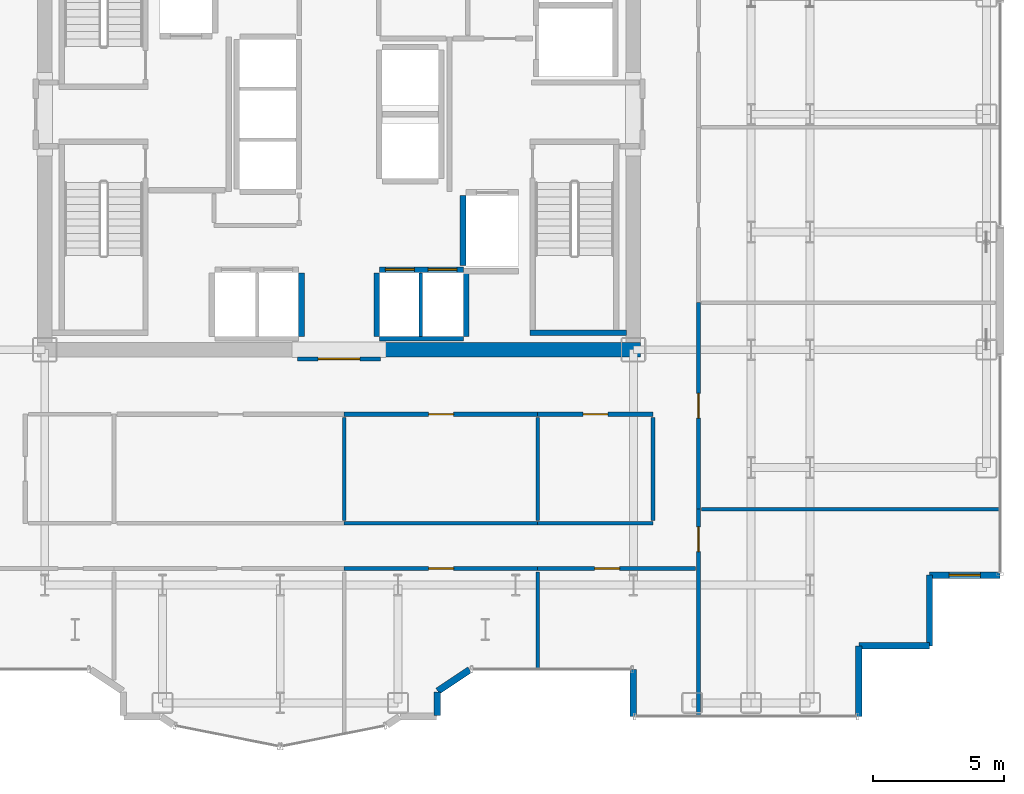
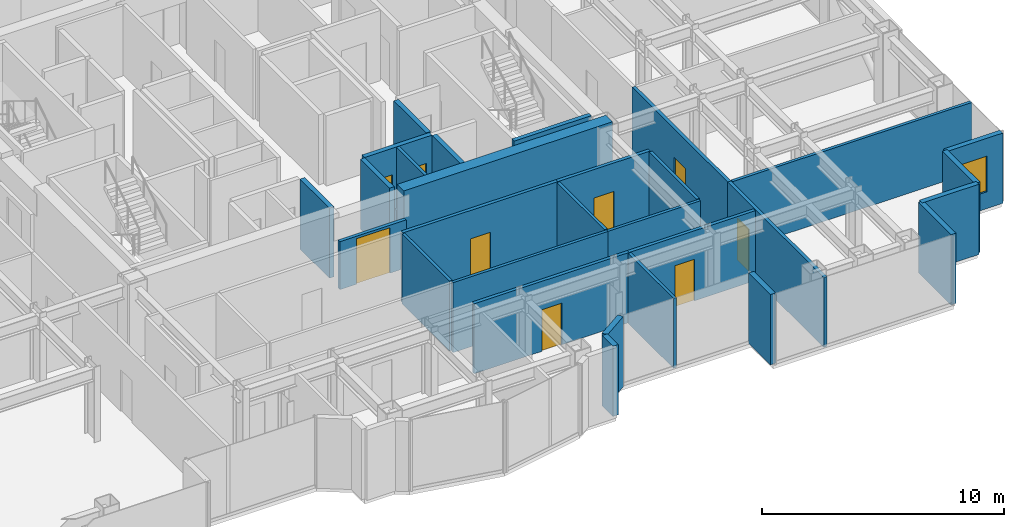
# One storey, part 22 of 26: 30 walls, 9 doors, 1 window, 10 openings.
"""IFC4 building model written with IfcOpenShell, lengths in metres."""

from ifc_helpers import new_model, si_unit, direction, frame, frame_2d, origin, place, context, subcontext, project, spatial, rectangle, extrude, source, transform, mapped, material, layer, layer_set, type_object, element, fill, save


model = new_model("IFC4")

# Units and contexts
model_context = context("Model", 3, precision=1e-05, world=origin(), true_north=direction((0.0, 1.0)))
body_context = subcontext(model_context, "Body", "Model", "MODEL_VIEW")
ifc_project = project(units=[si_unit("LENGTHUNIT", "METRE"), si_unit("AREAUNIT", "SQUARE_METRE"), si_unit("VOLUMEUNIT", "CUBIC_METRE"), si_unit("PLANEANGLEUNIT", "RADIAN"), si_unit("MASSUNIT", "GRAM", prefix="KILO")], contexts=[model_context])

# Site, building, storey
site_placement = place(None, origin())
site = spatial("IfcSite", under=ifc_project, at=site_placement, CompositionType="ELEMENT")
building_placement = place(site_placement, origin())
building = spatial("IfcBuilding", under=site, at=building_placement, Name="Nefas-Gora Pilgrimage Tower", CompositionType="ELEMENT")
storey_placement = place(building_placement, frame((0.0, 0.0, 160.199951171875)))
storey = spatial("IfcBuildingStorey", under=building, at=storey_placement, Name="L39", CompositionType="ELEMENT", Elevation=160.199951171875)

# Walls
ifc_material_1 = material(Name="Concrete C60/75", Category="concrete")
ifc_layer_1 = layer(ifc_material_1, 0.550048828125)
ifc_layer_set_1 = layer_set([ifc_layer_1], Name="Concrete C60/75")
wall_type_1 = type_object("IfcWallType", Name="SW-CORE-550", PredefinedType="SHEAR", material=ifc_layer_set_1)
shared_shape_1 = source(origin(), body_context, "Body", "SweptSolid", [
    extrude(rectangle(XDim=9.974853515625, YDim=0.550048828125, at=frame_2d((4.9873046875, 0.0))), origin(), (0.0, 0.0, 1.0), 3.800048828125),
])
wall_1_placement = place(storey_placement, frame((1.550048828125, -9.0, 0.0), z_axis=(0.0, 0.0, 1.0), x_axis=(1.0, 0.0, 0.0)))
element("IfcWall", 1, at=wall_1_placement, inside=storey, type_object=wall_type_1, Name="L39 Core Shear Wall S-East", PredefinedType="SHEAR", context=body_context, shape_type="MappedRepresentation", body=[
    mapped(shared_shape_1, transform((0.0, 0.0, 0.0), x_axis=(1.0, 0.0, 0.0), y_axis=(0.0, 1.0, 0.0), z_axis=(0.0, 0.0, 1.0), scale=1.0)),
])
ifc_material_2 = material(Name="Precast concrete C40/50", Category="concrete")
ifc_layer_2 = layer(ifc_material_2, 0.260009765625)
ifc_layer_set_2 = layer_set([ifc_layer_2], Name="Precast concrete C40/50")
wall_type_2 = type_object("IfcWallType", Name="EW-PORTAL-260", PredefinedType="SOLIDWALL", material=ifc_layer_set_2)
shared_shape_2 = source(origin(), body_context, "Body", "SweptSolid", [
    extrude(rectangle(XDim=1.800048828125, YDim=0.260009765625, at=frame_2d((0.89990234375, 0.0))), origin(), (0.0, 0.0, 1.0), 3.550048828125),
])
wall_2_placement = place(storey_placement, frame((11.25, -21.219970703125, 0.0), z_axis=(0.0, 0.0, 1.0), x_axis=(0.0, -1.0, 0.0)))
element("IfcWall", 2, at=wall_2_placement, inside=storey, type_object=wall_type_2, Name="L39 Lobe Shoulder Precast Spandrel Pier 5", PredefinedType="SOLIDWALL", context=body_context, shape_type="MappedRepresentation", body=[
    mapped(shared_shape_2, transform((0.0, 0.0, 0.0), x_axis=(1.0, 0.0, 0.0), y_axis=(0.0, 1.0, 0.0), z_axis=(0.0, 0.0, 1.0), scale=1.0)),
])
ifc_material_3 = material(Name="Precast concrete C45/55", Category="concrete")
ifc_layer_3 = layer(ifc_material_3, 0.239990234375)
ifc_layer_set_3 = layer_set([ifc_layer_3], Name="Precast concrete C45/55")
wall_type_3 = type_object("IfcWallType", Name="EW-SERR-240", PredefinedType="SHEAR", material=ifc_layer_set_3)
shared_shape_3 = source(origin(), body_context, "Body", "SweptSolid", [
    extrude(rectangle(XDim=2.699951171875, YDim=0.239990234375, at=frame_2d((1.35009765625, 0.0))), origin(), (0.0, 0.0, 1.0), 3.550048828125),
])
for number, where, z_axis, x_axis, name in (
    (3, (19.8701171875, -23.02001953125, 0.0), (0.0, 0.0, 1.0), (0.0, 1.0, 0.0), "L39 Serrated Corner Shear Pier Wall 6"),
    (4, (19.8701171875, -20.320068359375, 0.0), (0.0, 0.0, 1.0), (1.0, 0.0, 0.0), "L39 Serrated Corner Shear Pier Wall 7"),
    (5, (22.570068359375, -20.320068359375, 0.0), (0.0, 0.0, 1.0), (0.0, 1.0, 0.0), "L39 Serrated Corner Shear Pier Wall 8"),
):
    element("IfcWall", number, at=place(storey_placement, frame(where, z_axis=z_axis, x_axis=x_axis)), inside=storey, type_object=wall_type_3, Name=name, PredefinedType="SHEAR", context=body_context, shape_type="MappedRepresentation", body=[
        mapped(shared_shape_3, transform((0.0, 0.0, 0.0), x_axis=(1.0, 0.0, 0.0), y_axis=(0.0, 1.0, 0.0), z_axis=(0.0, 0.0, 1.0), scale=1.0)),
    ])

# Wall, opening, window
wall_3_placement = place(storey_placement, frame((22.570068359375, -17.6201171875, 0.0), z_axis=(0.0, 0.0, 1.0), x_axis=(1.0, 0.0, 0.0)))
wall_3 = element("IfcWall", 6, at=wall_3_placement, inside=storey, type_object=wall_type_3, Name="L39 Serrated Corner Shear Pier Wall 9", PredefinedType="SHEAR", context=body_context, shape_type="MappedRepresentation", body=[
    mapped(shared_shape_3, transform((0.0, 0.0, 0.0), x_axis=(1.0, 0.0, 0.0), y_axis=(0.0, 1.0, 0.0), z_axis=(0.0, 0.0, 1.0), scale=1.0)),
])
opening_1_placement = place(wall_3_placement, frame((0.75, 0.0, 0.85009765625)))
opening_1 = element("IfcOpeningElement", 7, at=opening_1_placement, cuts=wall_3, Name="Opening W-V1", PredefinedType="OPENING", context=body_context, shape_type="SweptSolid", body=[
    extrude(rectangle(XDim=1.199951171875, YDim=1.800048828125, at=frame_2d((0.60009765625, 0.89990234375))), frame((0.0, 0.1298828125, 0.0), z_axis=(0.0, -1.0, 0.0), x_axis=(1.0, 0.0, 0.0)), (0.0, 0.0, 1.0), 0.260009765625),
])
ifc_material_4 = material(Name="Dark ceramic-fritted operable aluminium-glass window", Category="aluminium")
window_type = type_object("IfcWindowType", Name="WIN-VENT-1200x1800", PartitioningType="SINGLE_PANEL", PredefinedType="WINDOW", material=ifc_material_4)
shared_shape_4 = source(origin(), body_context, "Body", "SweptSolid", [
    extrude(rectangle(XDim=1.199951171875, YDim=1.800048828125, at=frame_2d((0.60009765625, 0.89990234375))), frame((0.0, 0.030029296875, 0.0), z_axis=(0.0, -1.0, 0.0), x_axis=(1.0, 0.0, 0.0)), (0.0, 0.0, 1.0), 0.06005859375),
])
window_placement = place(opening_1_placement, origin())
window = element("IfcWindow", 8, at=window_placement, inside=storey, type_object=window_type, Name="L39 Operable Parallel-Outswing Window 9", OverallHeight=1.800048828125, OverallWidth=1.199951171875, PartitioningType="SINGLE_PANEL", PredefinedType="WINDOW", context=body_context, shape_type="MappedRepresentation", body=[
    mapped(shared_shape_4, transform((0.0, 0.0, 0.0), x_axis=(1.0, 0.0, 0.0), y_axis=(0.0, 1.0, 0.0), z_axis=(0.0, 0.0, 1.0), scale=1.0)),
])
fill(opening_1, window)

# Walls
shared_shape_5 = source(origin(), body_context, "Body", "SweptSolid", [
    extrude(rectangle(XDim=1.468994140625, YDim=0.260009765625, at=frame_2d((0.734375, 0.0))), origin(), (0.0, 0.0, 1.0), 3.550048828125),
])
wall_4_placement = place(storey_placement, frame((3.773193359375, -22.0517578125, 0.0), z_axis=(0.0, 0.0, 1.0), x_axis=(0.831461760506, 0.555581983884, 0.0)))
element("IfcWall", 9, at=wall_4_placement, inside=storey, type_object=wall_type_2, Name="L39 Lobe Shoulder Precast Spandrel Pier 40", PredefinedType="SOLIDWALL", context=body_context, shape_type="MappedRepresentation", body=[
    mapped(shared_shape_5, transform((0.0, 0.0, 0.0), x_axis=(1.0, 0.0, 0.0), y_axis=(0.0, 1.0, 0.0), z_axis=(0.0, 0.0, 1.0), scale=1.0)),
])
shared_shape_6 = source(origin(), body_context, "Body", "SweptSolid", [
    extrude(rectangle(XDim=0.896728515625, YDim=0.260009765625, at=frame_2d((0.4482421875, 0.0))), origin(), (0.0, 0.0, 1.0), 3.550048828125),
])
wall_5_placement = place(storey_placement, frame((3.75, -22.991943359375, 0.0), z_axis=(0.0, 0.0, 1.0), x_axis=(0.0, 1.0, 0.0)))
element("IfcWall", 10, at=wall_5_placement, inside=storey, type_object=wall_type_2, Name="L39 Lobe Shoulder Precast Spandrel Pier 39", PredefinedType="SOLIDWALL", context=body_context, shape_type="MappedRepresentation", body=[
    mapped(shared_shape_6, transform((0.0, 0.0, 0.0), x_axis=(1.0, 0.0, 0.0), y_axis=(0.0, 1.0, 0.0), z_axis=(0.0, 0.0, 1.0), scale=1.0)),
])
ifc_material_5 = material(Name="Concrete C45/55", Category="concrete")
ifc_layer_4 = layer(ifc_material_5, 0.199951171875)
ifc_layer_set_4 = layer_set([ifc_layer_4], Name="Concrete C45/55")
wall_type_4 = type_object("IfcWallType", Name="IW-STAIR-200", PredefinedType="SOLIDWALL", material=ifc_layer_set_4)
shared_shape_7 = source(origin(), body_context, "Body", "SweptSolid", [
    extrude(rectangle(XDim=3.679931640625, YDim=0.199951171875, at=frame_2d((1.83984375, 0.0))), origin(), (0.0, 0.0, 1.0), 3.800048828125),
])
wall_6_placement = place(storey_placement, frame((7.300048828125, -8.35009765625, 0.0), z_axis=(0.0, 0.0, 1.0), x_axis=(1.0, 0.0, 0.0)))
element("IfcWall", 11, at=wall_6_placement, inside=storey, type_object=wall_type_4, Name="L39 Stairwell Shear Wall ST-02-far", PredefinedType="SOLIDWALL", context=body_context, shape_type="MappedRepresentation", body=[
    mapped(shared_shape_7, transform((0.0, 0.0, 0.0), x_axis=(1.0, 0.0, 0.0), y_axis=(0.0, 1.0, 0.0), z_axis=(0.0, 0.0, 1.0), scale=1.0)),
])
ifc_material_6 = material(Name="Gypsum acoustic stud partition")
ifc_layer_5 = layer(ifc_material_6, 0.159912109375)
ifc_layer_set_5 = layer_set([ifc_layer_5], Name="Gypsum acoustic stud partition")
wall_type_5 = type_object("IfcWallType", Name="IW-CORR-160", PredefinedType="PARTITIONING", material=ifc_layer_set_5)
shared_shape_8 = source(origin(), body_context, "Body", "SweptSolid", [
    extrude(rectangle(XDim=3.199951171875, YDim=0.159912109375, at=frame_2d((1.60009765625, 0.0))), origin(), (0.0, 0.0, 1.0), 2.425048828125),
])
wall_7_placement = place(storey_placement, frame((1.550048828125, -8.580078125, 0.0), z_axis=(0.0, 0.0, 1.0), x_axis=(1.0, 0.0, 0.0)))
element("IfcWall", 12, at=wall_7_placement, inside=storey, type_object=wall_type_5, Name="L39 Hoistway Wall PL2-E-S", PredefinedType="PARTITIONING", context=body_context, shape_type="MappedRepresentation", body=[
    mapped(shared_shape_8, transform((0.0, 0.0, 0.0), x_axis=(1.0, 0.0, 0.0), y_axis=(0.0, 1.0, 0.0), z_axis=(0.0, 0.0, 1.0), scale=1.0)),
])
ifc_material_7 = material(Name="Concrete C40/50", Category="concrete")
ifc_layer_6 = layer(ifc_material_7, 0.219970703125)
ifc_layer_set_6 = layer_set([ifc_layer_6], Name="Concrete C40/50")
wall_type_6 = type_object("IfcWallType", Name="IW-SHAFT-220", PredefinedType="SOLIDWALL", material=ifc_layer_set_6)
shared_shape_9 = source(origin(), body_context, "Body", "SweptSolid", [
    extrude(rectangle(XDim=2.679931640625, YDim=0.219970703125, at=frame_2d((1.33984375, 0.0))), origin(), (0.0, 0.0, 1.0), 3.53515625),
])
wall_8_placement = place(storey_placement, frame((4.739990234375, -3.110107421875, 0.0), z_axis=(0.0, 0.0, 1.0), x_axis=(0.0, -1.0, 0.0)))
element("IfcWall", 13, at=wall_8_placement, inside=storey, type_object=wall_type_6, Name="L39 Hoistway Wall FFL-02-W", PredefinedType="SOLIDWALL", context=body_context, shape_type="MappedRepresentation", body=[
    mapped(shared_shape_9, transform((0.0, 0.0, 0.0), x_axis=(1.0, 0.0, 0.0), y_axis=(0.0, 1.0, 0.0), z_axis=(0.0, 0.0, 1.0), scale=1.0)),
])

# Wall, openings, doors
shared_shape_10 = source(origin(), body_context, "Body", "SweptSolid", [
    extrude(rectangle(XDim=3.199951171875, YDim=0.219970703125, at=frame_2d((1.60009765625, 0.0))), origin(), (0.0, 0.0, 1.0), 3.53515625),
])
wall_9_placement = place(storey_placement, frame((4.75, -5.93994140625, 0.0), z_axis=(0.0, 0.0, 1.0), x_axis=(-1.0, 0.0, 0.0)))
wall_9 = element("IfcWall", 14, at=wall_9_placement, inside=storey, type_object=wall_type_6, Name="L39 Hoistway Wall PL2-E-N", PredefinedType="SOLIDWALL", context=body_context, shape_type="MappedRepresentation", body=[
    mapped(shared_shape_10, transform((0.0, 0.0, 0.0), x_axis=(1.0, 0.0, 0.0), y_axis=(0.0, 1.0, 0.0), z_axis=(0.0, 0.0, 1.0), scale=1.0)),
])
opening_2_placement = place(wall_9_placement, frame((1.875, 0.0, 0.0)))
opening_2 = element("IfcOpeningElement", 15, at=opening_2_placement, cuts=wall_9, Name="Opening LD-01", PredefinedType="OPENING", context=body_context, shape_type="SweptSolid", body=[
    extrude(rectangle(XDim=1.10009765625, YDim=2.199951171875, at=frame_2d((0.550048828125, 1.10009765625))), frame((0.0, 0.119873046875, 0.0), z_axis=(0.0, -1.0, 0.0), x_axis=(1.0, 0.0, 0.0)), (0.0, 0.0, 1.0), 0.239990234375),
])
opening_3_placement = place(wall_9_placement, frame((0.25, 0.0, 0.0)))
opening_3 = element("IfcOpeningElement", 16, at=opening_3_placement, cuts=wall_9, Name="Opening LD-01", PredefinedType="OPENING", context=body_context, shape_type="SweptSolid", body=[
    extrude(rectangle(XDim=1.10009765625, YDim=2.199951171875, at=frame_2d((0.550048828125, 1.10009765625))), frame((0.0, 0.119873046875, 0.0), z_axis=(0.0, -1.0, 0.0), x_axis=(1.0, 0.0, 0.0)), (0.0, 0.0, 1.0), 0.239990234375),
])
ifc_material_8 = material(Name="Brushed stainless sliding lift landing door")
door_type_1 = type_object("IfcDoorType", Name="DR-LIFT-PASS-1100", OperationType="DOUBLE_DOOR_SLIDING", PredefinedType="DOOR", material=ifc_material_8)
shared_shape_11 = source(origin(), body_context, "Body", "SweptSolid", [
    extrude(rectangle(XDim=1.10009765625, YDim=2.199951171875, at=frame_2d((0.550048828125, 1.10009765625))), frame((0.0, 0.02490234375, 0.0), z_axis=(0.0, -1.0, 0.0), x_axis=(1.0, 0.0, 0.0)), (0.0, 0.0, 1.0), 0.050048828125),
])
door_1_placement = place(opening_2_placement, origin())
door_1 = element("IfcDoor", 17, at=door_1_placement, inside=storey, type_object=door_type_1, Name="L39 Sliding Lift Landing Door PL2-03", OperationType="DOUBLE_DOOR_SLIDING", OverallHeight=2.199951171875, OverallWidth=1.10009765625, PredefinedType="DOOR", context=body_context, shape_type="MappedRepresentation", body=[
    mapped(shared_shape_11, transform((0.0, 0.0, 0.0), x_axis=(1.0, 0.0, 0.0), y_axis=(0.0, 1.0, 0.0), z_axis=(0.0, 0.0, 1.0), scale=1.0)),
])
fill(opening_2, door_1)
door_2_placement = place(opening_3_placement, origin())
door_2 = element("IfcDoor", 18, at=door_2_placement, inside=storey, type_object=door_type_1, Name="L39 Sliding Lift Landing Door PL2-04", OperationType="DOUBLE_DOOR_SLIDING", OverallHeight=2.199951171875, OverallWidth=1.10009765625, PredefinedType="DOOR", context=body_context, shape_type="MappedRepresentation", body=[
    mapped(shared_shape_11, transform((0.0, 0.0, 0.0), x_axis=(1.0, 0.0, 0.0), y_axis=(0.0, 1.0, 0.0), z_axis=(0.0, 0.0, 1.0), scale=1.0)),
])
fill(opening_3, door_2)

# Walls
shared_shape_12 = source(origin(), body_context, "Body", "SweptSolid", [
    extrude(rectangle(XDim=2.429931640625, YDim=0.219970703125, at=frame_2d((1.21484375, 0.0))), origin(), (0.0, 0.0, 1.0), 3.53515625),
])
for number, where, z_axis, x_axis, name in (
    (19, (-1.43994140625, -8.489990234375, 0.0), (0.0, 0.0, 1.0), (0.0, 1.0, 0.0), "L39 Hoistway Wall PL2-W-E"),
    (20, (1.43994140625, -6.06005859375, 0.0), (0.0, 0.0, 1.0), (0.0, -1.0, 0.0), "L39 Hoistway Wall PL2-E-W"),
    (21, (4.860107421875, -8.489990234375, 0.0), (0.0, 0.0, 1.0), (0.0, 1.0, 0.0), "L39 Hoistway Wall PL2-E-E"),
):
    element("IfcWall", number, at=place(storey_placement, frame(where, z_axis=z_axis, x_axis=x_axis)), inside=storey, type_object=wall_type_6, Name=name, PredefinedType="SOLIDWALL", context=body_context, shape_type="MappedRepresentation", body=[
        mapped(shared_shape_12, transform((0.0, 0.0, 0.0), x_axis=(1.0, 0.0, 0.0), y_axis=(0.0, 1.0, 0.0), z_axis=(0.0, 0.0, 1.0), scale=1.0)),
    ])
ifc_material_9 = material(Name="Gypsum twin-stud partition")
ifc_layer_7 = layer(ifc_material_9, 0.139892578125)
ifc_layer_set_7 = layer_set([ifc_layer_7], Name="Gypsum twin-stud partition")
wall_type_7 = type_object("IfcWallType", Name="IW-UNIT-140", PredefinedType="PARTITIONING", material=ifc_layer_set_7)
shared_shape_13 = source(origin(), body_context, "Body", "SweptSolid", [
    extrude(rectangle(XDim=2.429931640625, YDim=0.139892578125, at=frame_2d((1.21484375, 0.0))), origin(), (0.0, 0.0, 1.0), 3.53515625),
])
wall_10_placement = place(storey_placement, frame((3.125, -8.489990234375, 0.0), z_axis=(0.0, 0.0, 1.0), x_axis=(0.0, 1.0, 0.0)))
element("IfcWall", 22, at=wall_10_placement, inside=storey, type_object=wall_type_7, Name="L39 Hoistway Wall PL2-E-DIV", PredefinedType="PARTITIONING", context=body_context, shape_type="MappedRepresentation", body=[
    mapped(shared_shape_13, transform((0.0, 0.0, 0.0), x_axis=(1.0, 0.0, 0.0), y_axis=(0.0, 1.0, 0.0), z_axis=(0.0, 0.0, 1.0), scale=1.0)),
])

# Wall, opening, door
shared_shape_14 = source(origin(), body_context, "Body", "SweptSolid", [
    extrude(rectangle(XDim=6.025146484375, YDim=0.159912109375, at=frame_2d((3.0126953125, 0.0))), origin(), (0.0, 0.0, 1.0), 3.53515625),
])
wall_11_placement = place(storey_placement, frame((7.594970703125, -17.3701171875, 0.0), z_axis=(0.0, 0.0, 1.0), x_axis=(1.0, 0.0, 0.0)))
wall_11 = element("IfcWall", 23, at=wall_11_placement, inside=storey, type_object=wall_type_5, Name="L39 Pilgrim Contemplative Lounge Partition Wall 80", PredefinedType="PARTITIONING", context=body_context, shape_type="MappedRepresentation", body=[
    mapped(shared_shape_14, transform((0.0, 0.0, 0.0), x_axis=(1.0, 0.0, 0.0), y_axis=(0.0, 1.0, 0.0), z_axis=(0.0, 0.0, 1.0), scale=1.0)),
])
opening_4_placement = place(wall_11_placement, frame((2.17626953125, 0.0, 0.0)))
opening_4 = element("IfcOpeningElement", 24, at=opening_4_placement, cuts=wall_11, Name="Opening ID-GR1", PredefinedType="OPENING", context=body_context, shape_type="SweptSolid", body=[
    extrude(rectangle(XDim=0.949951171875, YDim=2.10009765625, at=frame_2d((0.47509765625, 1.050048828125))), frame((0.0, 0.08984375, 0.0), z_axis=(0.0, -1.0, 0.0), x_axis=(1.0, 0.0, 0.0)), (0.0, 0.0, 1.0), 0.179931640625),
])
ifc_material_10 = material(Name="Solid core oak fire-rated guest entrance door")
door_type_2 = type_object("IfcDoorType", Name="DR-INT-GUEST-950", OperationType="NOTDEFINED", PredefinedType="DOOR", material=ifc_material_10)
shared_shape_15 = source(origin(), body_context, "Body", "SweptSolid", [
    extrude(rectangle(XDim=0.949951171875, YDim=2.10009765625, at=frame_2d((0.47509765625, 1.050048828125))), frame((0.0, 0.02490234375, 0.0), z_axis=(0.0, -1.0, 0.0), x_axis=(1.0, 0.0, 0.0)), (0.0, 0.0, 1.0), 0.050048828125),
])
door_3_placement = place(opening_4_placement, origin())
door_3 = element("IfcDoor", 25, at=door_3_placement, inside=storey, type_object=door_type_2, Name="L39 Pilgrim Contemplative Lounge Door 35", OperationType="SINGLE_SWING_RIGHT", OverallHeight=2.10009765625, OverallWidth=0.949951171875, PredefinedType="DOOR", context=body_context, shape_type="MappedRepresentation", body=[
    mapped(shared_shape_15, transform((0.0, 0.0, 0.0), x_axis=(1.0, 0.0, 0.0), y_axis=(0.0, 1.0, 0.0), z_axis=(0.0, 0.0, 1.0), scale=1.0)),
])
fill(opening_4, door_3)

shared_shape_16 = source(origin(), body_context, "Body", "SweptSolid", [
    extrude(rectangle(XDim=3.16015625, YDim=0.159912109375, at=frame_2d((1.580078125, 0.0))), origin(), (0.0, 0.0, 1.0), 2.425048828125),
])
wall_12_placement = place(storey_placement, frame((-1.580078125, -9.35009765625, 0.0), z_axis=(0.0, 0.0, 1.0), x_axis=(1.0, 0.0, 0.0)))
wall_12 = element("IfcWall", 26, at=wall_12_placement, inside=storey, type_object=wall_type_5, Name="L39 Central Lift Lobby South Portal Wall 16", PredefinedType="PARTITIONING", context=body_context, shape_type="MappedRepresentation", body=[
    mapped(shared_shape_16, transform((0.0, 0.0, 0.0), x_axis=(1.0, 0.0, 0.0), y_axis=(0.0, 1.0, 0.0), z_axis=(0.0, 0.0, 1.0), scale=1.0)),
])
opening_5_placement = place(wall_12_placement, frame((0.780029296875, 0.0, 0.0)))
opening_5 = element("IfcOpeningElement", 27, at=opening_5_placement, cuts=wall_12, Name="Opening ID-HL1", PredefinedType="OPENING", context=body_context, shape_type="SweptSolid", body=[
    extrude(rectangle(XDim=1.60009765625, YDim=2.300048828125, at=frame_2d((0.800048828125, 1.14990234375))), frame((0.0, 0.08984375, 0.0), z_axis=(0.0, -1.0, 0.0), x_axis=(1.0, 0.0, 0.0)), (0.0, 0.0, 1.0), 0.179931640625),
])
ifc_material_11 = material(Name="Double acoustic timber assembly hall door", Category="wood")
door_type_3 = type_object("IfcDoorType", Name="DR-INT-HALL-1600", OperationType="DOUBLE_DOOR_SINGLE_SWING", PredefinedType="DOOR", material=ifc_material_11)
shared_shape_17 = source(origin(), body_context, "Body", "SweptSolid", [
    extrude(rectangle(XDim=1.60009765625, YDim=2.300048828125, at=frame_2d((0.800048828125, 1.14990234375))), frame((0.0, 0.02490234375, 0.0), z_axis=(0.0, -1.0, 0.0), x_axis=(1.0, 0.0, 0.0)), (0.0, 0.0, 1.0), 0.050048828125),
])
door_4_placement = place(opening_5_placement, origin())
door_4 = element("IfcDoor", 28, at=door_4_placement, inside=storey, type_object=door_type_3, Name="L39 Central Lift Lobby South Portal Door 6", OperationType="DOUBLE_DOOR_SINGLE_SWING", OverallHeight=2.300048828125, OverallWidth=1.60009765625, PredefinedType="DOOR", context=body_context, shape_type="MappedRepresentation", body=[
    mapped(shared_shape_17, transform((0.0, 0.0, 0.0), x_axis=(1.0, 0.0, 0.0), y_axis=(0.0, 1.0, 0.0), z_axis=(0.0, 0.0, 1.0), scale=1.0)),
])
fill(opening_5, door_4)

# Walls
shared_shape_18 = source(origin(), body_context, "Body", "SweptSolid", [
    extrude(rectangle(XDim=11.429931640625, YDim=0.139892578125, at=frame_2d((5.71484375, 0.0))), origin(), (0.0, 0.0, 1.0), 3.53515625),
])
wall_13_placement = place(storey_placement, frame((13.860107421875, -15.097412109375, 0.0), z_axis=(0.0, 0.0, 1.0), x_axis=(1.0, 0.0, 0.0)))
element("IfcWall", 29, at=wall_13_placement, inside=storey, type_object=wall_type_7, Name="L39 Pilgrim Contemplative Lounge Partition Wall 38", PredefinedType="PARTITIONING", context=body_context, shape_type="MappedRepresentation", body=[
    mapped(shared_shape_18, transform((0.0, 0.0, 0.0), x_axis=(1.0, 0.0, 0.0), y_axis=(0.0, 1.0, 0.0), z_axis=(0.0, 0.0, 1.0), scale=1.0)),
])
shared_shape_19 = source(origin(), body_context, "Body", "SweptSolid", [
    extrude(rectangle(XDim=3.929931640625, YDim=0.139892578125, at=frame_2d((1.96484375, 0.0))), origin(), (0.0, 0.0, 1.0), 3.53515625),
])
for number, where, z_axis, x_axis, name in (
    (30, (0.195068359375, -15.52001953125, 0.0), (0.0, 0.0, 1.0), (0.0, 1.0, 0.0), "L39 Pilgrim Contemplative Lounge Partition Wall 74"),
    (31, (7.594970703125, -15.52001953125, 0.0), (0.0, 0.0, 1.0), (0.0, 1.0, 0.0), "L39 Pilgrim Contemplative Lounge Partition Wall 79"),
    (32, (12.0, -15.52001953125, 0.0), (0.0, 0.0, 1.0), (0.0, 1.0, 0.0), "L39 Pilgrim Contemplative Lounge Partition Wall 83"),
):
    element("IfcWall", number, at=place(storey_placement, frame(where, z_axis=z_axis, x_axis=x_axis)), inside=storey, type_object=wall_type_7, Name=name, PredefinedType="PARTITIONING", context=body_context, shape_type="MappedRepresentation", body=[
        mapped(shared_shape_19, transform((0.0, 0.0, 0.0), x_axis=(1.0, 0.0, 0.0), y_axis=(0.0, 1.0, 0.0), z_axis=(0.0, 0.0, 1.0), scale=1.0)),
    ])

# Wall, opening, door
shared_shape_20 = source(origin(), body_context, "Body", "SweptSolid", [
    extrude(rectangle(XDim=7.409912109375, YDim=0.159912109375, at=frame_2d((3.705078125, 0.0))), origin(), (0.0, 0.0, 1.0), 3.53515625),
])
wall_14_placement = place(storey_placement, frame((0.195068359375, -17.3701171875, 0.0), z_axis=(0.0, 0.0, 1.0), x_axis=(1.0, 0.0, 0.0)))
wall_14 = element("IfcWall", 33, at=wall_14_placement, inside=storey, type_object=wall_type_5, Name="L39 Pilgrim Contemplative Lounge Partition Wall 75", PredefinedType="PARTITIONING", context=body_context, shape_type="MappedRepresentation", body=[
    mapped(shared_shape_20, transform((0.0, 0.0, 0.0), x_axis=(1.0, 0.0, 0.0), y_axis=(0.0, 1.0, 0.0), z_axis=(0.0, 0.0, 1.0), scale=1.0)),
])
opening_6_placement = place(wall_14_placement, frame((3.22998046875, 0.0, 0.0)))
opening_6 = element("IfcOpeningElement", 34, at=opening_6_placement, cuts=wall_14, Name="Opening ID-GR1", PredefinedType="OPENING", context=body_context, shape_type="SweptSolid", body=[
    extrude(rectangle(XDim=0.949951171875, YDim=2.10009765625, at=frame_2d((0.47509765625, 1.050048828125))), frame((0.0, 0.08984375, 0.0), z_axis=(0.0, -1.0, 0.0), x_axis=(1.0, 0.0, 0.0)), (0.0, 0.0, 1.0), 0.179931640625),
])
door_5_placement = place(opening_6_placement, origin())
door_5 = element("IfcDoor", 35, at=door_5_placement, inside=storey, type_object=door_type_2, Name="L39 Pilgrim Contemplative Lounge Door 33", OperationType="SINGLE_SWING_RIGHT", OverallHeight=2.10009765625, OverallWidth=0.949951171875, PredefinedType="DOOR", context=body_context, shape_type="MappedRepresentation", body=[
    mapped(shared_shape_15, transform((0.0, 0.0, 0.0), x_axis=(1.0, 0.0, 0.0), y_axis=(0.0, 1.0, 0.0), z_axis=(0.0, 0.0, 1.0), scale=1.0)),
])
fill(opening_6, door_5)

wall_15_placement = place(storey_placement, frame((0.195068359375, -11.469970703125, 0.0), z_axis=(0.0, 0.0, 1.0), x_axis=(1.0, 0.0, 0.0)))
wall_15 = element("IfcWall", 36, at=wall_15_placement, inside=storey, type_object=wall_type_5, Name="L39 Pilgrim Contemplative Lounge Partition Wall 77", PredefinedType="PARTITIONING", context=body_context, shape_type="MappedRepresentation", body=[
    mapped(shared_shape_20, transform((0.0, 0.0, 0.0), x_axis=(1.0, 0.0, 0.0), y_axis=(0.0, 1.0, 0.0), z_axis=(0.0, 0.0, 1.0), scale=1.0)),
])
opening_7_placement = place(wall_15_placement, frame((3.22998046875, 0.0, 0.0)))
opening_7 = element("IfcOpeningElement", 37, at=opening_7_placement, cuts=wall_15, Name="Opening ID-GR1", PredefinedType="OPENING", context=body_context, shape_type="SweptSolid", body=[
    extrude(rectangle(XDim=0.949951171875, YDim=2.10009765625, at=frame_2d((0.47509765625, 1.050048828125))), frame((0.0, 0.08984375, 0.0), z_axis=(0.0, -1.0, 0.0), x_axis=(1.0, 0.0, 0.0)), (0.0, 0.0, 1.0), 0.179931640625),
])
door_6_placement = place(opening_7_placement, origin())
door_6 = element("IfcDoor", 38, at=door_6_placement, inside=storey, type_object=door_type_2, Name="L39 Pilgrim Contemplative Lounge Door 34", OperationType="SINGLE_SWING_LEFT", OverallHeight=2.10009765625, OverallWidth=0.949951171875, PredefinedType="DOOR", context=body_context, shape_type="MappedRepresentation", body=[
    mapped(shared_shape_15, transform((0.0, 0.0, 0.0), x_axis=(1.0, 0.0, 0.0), y_axis=(0.0, 1.0, 0.0), z_axis=(0.0, 0.0, 1.0), scale=1.0)),
])
fill(opening_7, door_6)

# Walls
shared_shape_21 = source(origin(), body_context, "Body", "SweptSolid", [
    extrude(rectangle(XDim=7.409912109375, YDim=0.139892578125, at=frame_2d((3.705078125, 0.0))), origin(), (0.0, 0.0, 1.0), 3.53515625),
])
wall_16_placement = place(storey_placement, frame((0.195068359375, -15.6298828125, 0.0), z_axis=(0.0, 0.0, 1.0), x_axis=(1.0, 0.0, 0.0)))
element("IfcWall", 39, at=wall_16_placement, inside=storey, type_object=wall_type_7, Name="L39 Pilgrim Contemplative Lounge Partition Wall 78", PredefinedType="PARTITIONING", context=body_context, shape_type="MappedRepresentation", body=[
    mapped(shared_shape_21, transform((0.0, 0.0, 0.0), x_axis=(1.0, 0.0, 0.0), y_axis=(0.0, 1.0, 0.0), z_axis=(0.0, 0.0, 1.0), scale=1.0)),
])
shared_shape_22 = source(origin(), body_context, "Body", "SweptSolid", [
    extrude(rectangle(XDim=3.75, YDim=0.139892578125, at=frame_2d((1.875, 0.0))), origin(), (0.0, 0.0, 1.0), 3.53515625),
])
wall_17_placement = place(storey_placement, frame((7.594970703125, -21.239990234375, 0.0), z_axis=(0.0, 0.0, 1.0), x_axis=(0.0, 1.0, 0.0)))
element("IfcWall", 40, at=wall_17_placement, inside=storey, type_object=wall_type_7, Name="L39 Pilgrim Contemplative Lounge Partition Wall 76", PredefinedType="PARTITIONING", context=body_context, shape_type="MappedRepresentation", body=[
    mapped(shared_shape_22, transform((0.0, 0.0, 0.0), x_axis=(1.0, 0.0, 0.0), y_axis=(0.0, 1.0, 0.0), z_axis=(0.0, 0.0, 1.0), scale=1.0)),
])

# Wall, opening, door
shared_shape_23 = source(origin(), body_context, "Body", "SweptSolid", [
    extrude(rectangle(XDim=7.95263671875, YDim=0.159912109375, at=frame_2d((3.976318359375, 0.0))), origin(), (0.0, 0.0, 1.0), 3.53515625),
])
wall_18_placement = place(storey_placement, frame((13.739990234375, -23.0400390625, 0.0), z_axis=(0.0, 0.0, 1.0), x_axis=(0.0, 1.0, 0.0)))
wall_18 = element("IfcWall", 41, at=wall_18_placement, inside=storey, type_object=wall_type_5, Name="L39 Pilgrim Contemplative Lounge Partition Wall 37", PredefinedType="PARTITIONING", context=body_context, shape_type="MappedRepresentation", body=[
    mapped(shared_shape_23, transform((0.0, 0.0, 0.0), x_axis=(1.0, 0.0, 0.0), y_axis=(0.0, 1.0, 0.0), z_axis=(0.0, 0.0, 1.0), scale=1.0)),
])
opening_8_placement = place(wall_18_placement, frame((6.316162109375, 0.0, 0.0)))
opening_8 = element("IfcOpeningElement", 42, at=opening_8_placement, cuts=wall_18, Name="Opening ID-GR1", PredefinedType="OPENING", context=body_context, shape_type="SweptSolid", body=[
    extrude(rectangle(XDim=0.949951171875, YDim=2.10009765625, at=frame_2d((0.47509765625, 1.050048828125))), frame((0.0, 0.08984375, 0.0), z_axis=(0.0, -1.0, 0.0), x_axis=(1.0, 0.0, 0.0)), (0.0, 0.0, 1.0), 0.179931640625),
])
door_7_placement = place(opening_8_placement, origin())
door_7 = element("IfcDoor", 43, at=door_7_placement, inside=storey, type_object=door_type_2, Name="L39 Pilgrim Contemplative Lounge Door 16", OperationType="SINGLE_SWING_LEFT", OverallHeight=2.10009765625, OverallWidth=0.949951171875, PredefinedType="DOOR", context=body_context, shape_type="MappedRepresentation", body=[
    mapped(shared_shape_15, transform((0.0, 0.0, 0.0), x_axis=(1.0, 0.0, 0.0), y_axis=(0.0, 1.0, 0.0), z_axis=(0.0, 0.0, 1.0), scale=1.0)),
])
fill(opening_8, door_7)

shared_shape_24 = source(origin(), body_context, "Body", "SweptSolid", [
    extrude(rectangle(XDim=7.892333984375, YDim=0.159912109375, at=frame_2d((3.9462890625, 0.0))), origin(), (0.0, 0.0, 1.0), 3.53515625),
])
wall_19_placement = place(storey_placement, frame((13.739990234375, -15.08740234375, 0.0), z_axis=(0.0, 0.0, 1.0), x_axis=(0.0, 1.0, 0.0)))
wall_19 = element("IfcWall", 44, at=wall_19_placement, inside=storey, type_object=wall_type_5, Name="L39 Pilgrim Contemplative Lounge Partition Wall 39", PredefinedType="PARTITIONING", context=body_context, shape_type="MappedRepresentation", body=[
    mapped(shared_shape_24, transform((0.0, 0.0, 0.0), x_axis=(1.0, 0.0, 0.0), y_axis=(0.0, 1.0, 0.0), z_axis=(0.0, 0.0, 1.0), scale=1.0)),
])
opening_9_placement = place(wall_19_placement, frame((3.47119140625, 0.0, 0.0)))
opening_9 = element("IfcOpeningElement", 45, at=opening_9_placement, cuts=wall_19, Name="Opening ID-GR1", PredefinedType="OPENING", context=body_context, shape_type="SweptSolid", body=[
    extrude(rectangle(XDim=0.949951171875, YDim=2.10009765625, at=frame_2d((0.47509765625, 1.050048828125))), frame((0.0, 0.08984375, 0.0), z_axis=(0.0, -1.0, 0.0), x_axis=(1.0, 0.0, 0.0)), (0.0, 0.0, 1.0), 0.179931640625),
])
door_8_placement = place(opening_9_placement, origin())
door_8 = element("IfcDoor", 46, at=door_8_placement, inside=storey, type_object=door_type_2, Name="L39 Pilgrim Contemplative Lounge Door 17", OperationType="SINGLE_SWING_RIGHT", OverallHeight=2.10009765625, OverallWidth=0.949951171875, PredefinedType="DOOR", context=body_context, shape_type="MappedRepresentation", body=[
    mapped(shared_shape_15, transform((0.0, 0.0, 0.0), x_axis=(1.0, 0.0, 0.0), y_axis=(0.0, 1.0, 0.0), z_axis=(0.0, 0.0, 1.0), scale=1.0)),
])
fill(opening_9, door_8)

shared_shape_25 = source(origin(), body_context, "Body", "SweptSolid", [
    extrude(rectangle(XDim=4.4150390625, YDim=0.159912109375, at=frame_2d((2.20751953125, 0.0))), origin(), (0.0, 0.0, 1.0), 3.53515625),
])
wall_20_placement = place(storey_placement, frame((7.594970703125, -11.469970703125, 0.0), z_axis=(0.0, 0.0, 1.0), x_axis=(1.0, 0.0, 0.0)))
wall_20 = element("IfcWall", 47, at=wall_20_placement, inside=storey, type_object=wall_type_5, Name="L39 Pilgrim Contemplative Lounge Partition Wall 81", PredefinedType="PARTITIONING", context=body_context, shape_type="MappedRepresentation", body=[
    mapped(shared_shape_25, transform((0.0, 0.0, 0.0), x_axis=(1.0, 0.0, 0.0), y_axis=(0.0, 1.0, 0.0), z_axis=(0.0, 0.0, 1.0), scale=1.0)),
])
opening_10_placement = place(wall_20_placement, frame((1.732421875, 0.0, 0.0)))
opening_10 = element("IfcOpeningElement", 48, at=opening_10_placement, cuts=wall_20, Name="Opening ID-GR1", PredefinedType="OPENING", context=body_context, shape_type="SweptSolid", body=[
    extrude(rectangle(XDim=0.949951171875, YDim=2.10009765625, at=frame_2d((0.47509765625, 1.050048828125))), frame((0.0, 0.08984375, 0.0), z_axis=(0.0, -1.0, 0.0), x_axis=(1.0, 0.0, 0.0)), (0.0, 0.0, 1.0), 0.179931640625),
])
door_9_placement = place(opening_10_placement, origin())
door_9 = element("IfcDoor", 49, at=door_9_placement, inside=storey, type_object=door_type_2, Name="L39 Pilgrim Contemplative Lounge Door 36", OperationType="SINGLE_SWING_LEFT", OverallHeight=2.10009765625, OverallWidth=0.949951171875, PredefinedType="DOOR", context=body_context, shape_type="MappedRepresentation", body=[
    mapped(shared_shape_15, transform((0.0, 0.0, 0.0), x_axis=(1.0, 0.0, 0.0), y_axis=(0.0, 1.0, 0.0), z_axis=(0.0, 0.0, 1.0), scale=1.0)),
])
fill(opening_10, door_9)

# Wall
shared_shape_26 = source(origin(), body_context, "Body", "SweptSolid", [
    extrude(rectangle(XDim=4.4150390625, YDim=0.139892578125, at=frame_2d((2.20751953125, 0.0))), origin(), (0.0, 0.0, 1.0), 3.53515625),
])
wall_21_placement = place(storey_placement, frame((7.594970703125, -15.6298828125, 0.0), z_axis=(0.0, 0.0, 1.0), x_axis=(1.0, 0.0, 0.0)))
element("IfcWall", 50, at=wall_21_placement, inside=storey, type_object=wall_type_7, Name="L39 Pilgrim Contemplative Lounge Partition Wall 82", PredefinedType="PARTITIONING", context=body_context, shape_type="MappedRepresentation", body=[
    mapped(shared_shape_26, transform((0.0, 0.0, 0.0), x_axis=(1.0, 0.0, 0.0), y_axis=(0.0, 1.0, 0.0), z_axis=(0.0, 0.0, 1.0), scale=1.0)),
])

save(model, "model.ifc")
